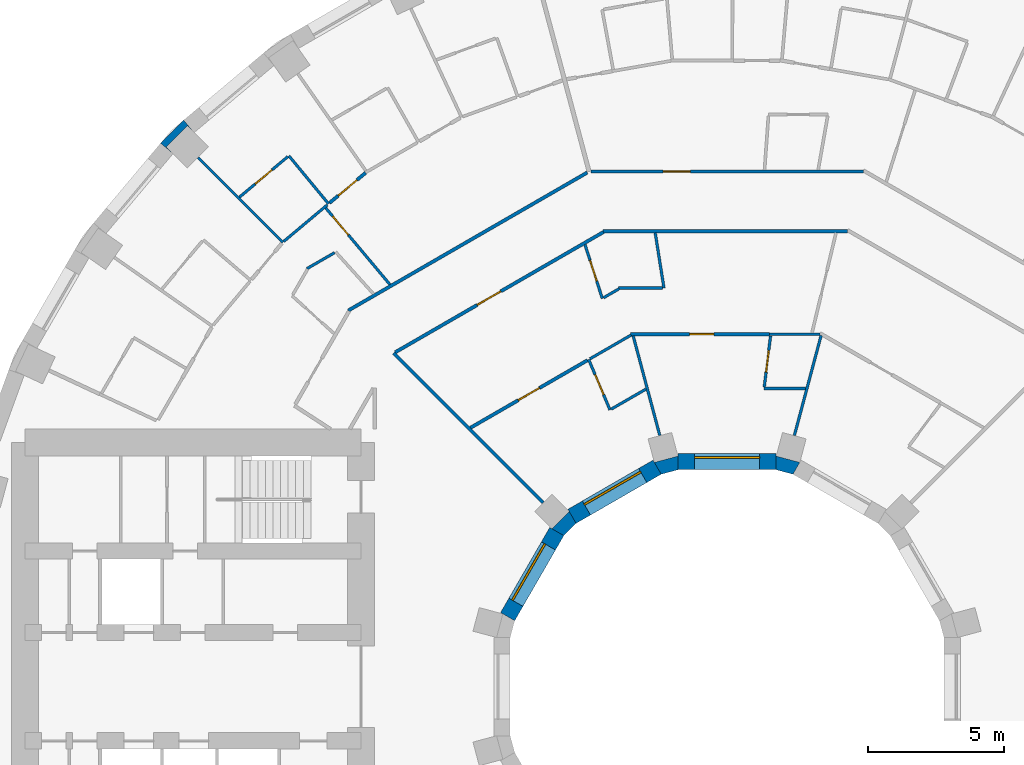
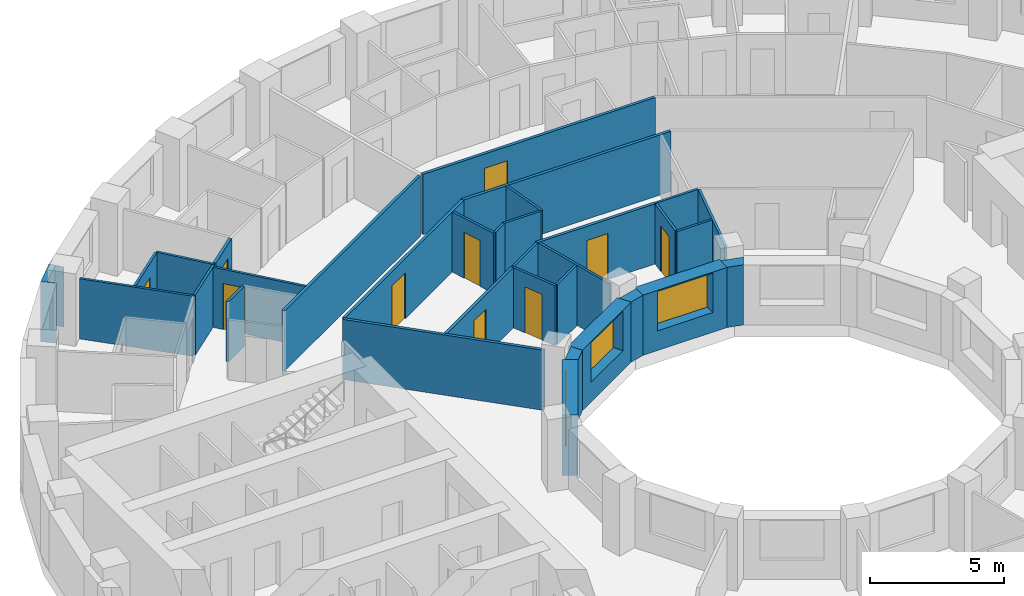
# One storey, part 9 of 14: 33 walls, 10 doors, 3 windows, 13 openings.
"""IFC4 building model written with IfcOpenShell, lengths in metres."""

from ifc_helpers import new_model, si_unit, direction, frame, frame_2d, origin, place, context, subcontext, project, spatial, polyline, rectangle, outline, extrude, material, layer, layer_set, type_object, element, fill, save


model = new_model("IFC4")

# Units and contexts
model_context = context("Model", 3, precision=1e-05, world=origin(), true_north=direction((0.0, 1.0)))
body_context = subcontext(model_context, "Body", "Model", "MODEL_VIEW")
ifc_project = project(units=[si_unit("LENGTHUNIT", "METRE"), si_unit("AREAUNIT", "SQUARE_METRE"), si_unit("VOLUMEUNIT", "CUBIC_METRE"), si_unit("PLANEANGLEUNIT", "RADIAN"), si_unit("MASSUNIT", "GRAM", prefix="KILO")], contexts=[model_context])

# Site, building, storey
site_placement = place(None, origin())
site = spatial("IfcSite", under=ifc_project, at=site_placement, CompositionType="ELEMENT")
building_placement = place(site_placement, origin())
building = spatial("IfcBuilding", under=site, at=building_placement, Name="Saqina Gate Tower", CompositionType="ELEMENT")
storey_placement = place(building_placement, frame((0.0, 0.0, 46.10009765625)))
storey = spatial("IfcBuildingStorey", under=building, at=storey_placement, Name="L12", CompositionType="ELEMENT", Elevation=46.10009765625)

# Wall
ifc_material_1 = material(Name="Brick masonry (red)", Category="masonry")
wall_type_1 = type_object("IfcWallType", Name="BRICK PIER COPING RED", PredefinedType="SOLIDWALL", material=ifc_material_1)
wall_1_placement = place(storey_placement, origin())
element("IfcWall", 1, at=wall_1_placement, inside=storey, type_object=wall_type_1, Name="Pier cap L12 column 14", PredefinedType="SOLIDWALL", context=body_context, shape_type="SweptSolid", body=[
    extrude(outline(polyline([(-20.894775390625, 20.04296875), (-20.43505859375, 19.6572265625), (-20.682861328125, 19.905029296875), (-19.905029296875, 20.682861328125), (-19.6572265625, 20.43505859375), (-20.04296875, 20.894775390625), (-20.894775390625, 20.04296875)])), origin(), (0.0, 0.0, 1.0), 2.75),
])

# Wall, opening, window
ifc_material_2 = material(Name="Glazed ceramic tile", Category="ceramic")
ifc_layer_1 = layer(ifc_material_2, 0.60009765625)
ifc_layer_set_1 = layer_set([ifc_layer_1], Name="IW-TILE")
wall_type_2 = type_object("IfcWallType", Name="IW-TILE", PredefinedType="SOLIDWALL", material=ifc_layer_set_1)
wall_2_placement = place(storey_placement, frame((1.8125, 8.300048828125, 0.0), z_axis=(0.0, 0.0, 1.0), x_axis=(-1.0, 0.0, 0.0)))
wall_2 = element("IfcWall", 2, at=wall_2_placement, inside=storey, type_object=wall_type_2, Name="Well wall L12 facet 3", PredefinedType="SOLIDWALL", context=body_context, shape_type="SweptSolid", body=[
    extrude(rectangle(XDim=3.625, YDim=0.60009765625, at=frame_2d((1.8125, 0.0))), origin(), (0.0, 0.0, 1.0), 2.75),
])
opening_1_placement = place(wall_2_placement, frame((0.612548828125, 0.0, 0.89990234375)))
opening_1 = element("IfcOpeningElement", 3, at=opening_1_placement, cuts=wall_2, Name="Opening G03-W28", PredefinedType="OPENING", context=body_context, shape_type="SweptSolid", body=[
    extrude(rectangle(XDim=2.39990234375, YDim=1.800048828125, at=frame_2d((1.199951171875, 0.89990234375))), frame((0.0, 0.31201171875, 0.0), z_axis=(0.0, -1.0, 0.0), x_axis=(1.0, 0.0, 0.0)), (0.0, 0.0, 1.0), 0.6240234375),
])
ifc_material_3 = material(Name="Aluminium glazing", Category="aluminium")
window_type = type_object("IfcWindowType", Name="WN-W", PartitioningType="SINGLE_PANEL", PredefinedType="WINDOW", material=ifc_material_3)
window_1_placement = place(opening_1_placement, origin())
window_1 = element("IfcWindow", 4, at=window_1_placement, inside=storey, type_object=window_type, Name="Well window L12 facet 3", OverallHeight=1.800048828125, OverallWidth=2.39990234375, PartitioningType="SINGLE_PANEL", PredefinedType="WINDOW", context=body_context, shape_type="SweptSolid", body=[
    extrude(rectangle(XDim=2.39990234375, YDim=1.800048828125, at=frame_2d((1.199951171875, 0.89990234375))), frame((0.0, -0.119873046875, 0.0), z_axis=(0.0, -1.0, 0.0), x_axis=(1.0, 0.0, 0.0)), (0.0, 0.0, 1.0), 0.06005859375),
])
fill(opening_1, window_1)

wall_3_placement = place(storey_placement, frame((-2.580322265625, 8.09423828125, 0.0), z_axis=(0.0, 0.0, 1.0), x_axis=(-0.866029693906, -0.499992569217, 0.0)))
wall_3 = element("IfcWall", 5, at=wall_3_placement, inside=storey, type_object=wall_type_2, Name="Well wall L12 facet 4", PredefinedType="SOLIDWALL", context=body_context, shape_type="SweptSolid", body=[
    extrude(rectangle(XDim=3.625, YDim=0.60009765625, at=frame_2d((1.8125, 0.0))), origin(), (0.0, 0.0, 1.0), 2.75),
])
opening_2_placement = place(wall_3_placement, frame((0.612548828125, 0.0, 0.89990234375)))
opening_2 = element("IfcOpeningElement", 6, at=opening_2_placement, cuts=wall_3, Name="Opening G03-W29", PredefinedType="OPENING", context=body_context, shape_type="SweptSolid", body=[
    extrude(rectangle(XDim=2.39990234375, YDim=1.800048828125, at=frame_2d((1.199951171875, 0.89990234375))), frame((0.0, 0.31201171875, 0.0), z_axis=(0.0, -1.0, 0.0), x_axis=(1.0, 0.0, 0.0)), (0.0, 0.0, 1.0), 0.6240234375),
])
window_2_placement = place(opening_2_placement, origin())
window_2 = element("IfcWindow", 7, at=window_2_placement, inside=storey, type_object=window_type, Name="Well window L12 facet 4", OverallHeight=1.800048828125, OverallWidth=2.39990234375, PartitioningType="SINGLE_PANEL", PredefinedType="WINDOW", context=body_context, shape_type="SweptSolid", body=[
    extrude(rectangle(XDim=2.39990234375, YDim=1.800048828125, at=frame_2d((1.199951171875, 0.89990234375))), frame((0.0, -0.119873046875, 0.0), z_axis=(0.0, -1.0, 0.0), x_axis=(1.0, 0.0, 0.0)), (0.0, 0.0, 1.0), 0.06005859375),
])
fill(opening_2, window_2)

wall_4_placement = place(storey_placement, frame((-6.28173828125, 5.7197265625, 0.0), z_axis=(0.0, 0.0, 1.0), x_axis=(-0.499992569217, -0.866029693906, 0.0)))
wall_4 = element("IfcWall", 8, at=wall_4_placement, inside=storey, type_object=wall_type_2, Name="Well wall L12 facet 5", PredefinedType="SOLIDWALL", context=body_context, shape_type="SweptSolid", body=[
    extrude(rectangle(XDim=3.625, YDim=0.60009765625, at=frame_2d((1.8125, 0.0))), origin(), (0.0, 0.0, 1.0), 2.75),
])
opening_3_placement = place(wall_4_placement, frame((0.612548828125, 0.0, 0.89990234375)))
opening_3 = element("IfcOpeningElement", 9, at=opening_3_placement, cuts=wall_4, Name="Opening G03-W30", PredefinedType="OPENING", context=body_context, shape_type="SweptSolid", body=[
    extrude(rectangle(XDim=2.39990234375, YDim=1.800048828125, at=frame_2d((1.199951171875, 0.89990234375))), frame((0.0, 0.31201171875, 0.0), z_axis=(0.0, -1.0, 0.0), x_axis=(1.0, 0.0, 0.0)), (0.0, 0.0, 1.0), 0.6240234375),
])
window_3_placement = place(opening_3_placement, origin())
window_3 = element("IfcWindow", 10, at=window_3_placement, inside=storey, type_object=window_type, Name="Well window L12 facet 5", OverallHeight=1.800048828125, OverallWidth=2.39990234375, PartitioningType="SINGLE_PANEL", PredefinedType="WINDOW", context=body_context, shape_type="SweptSolid", body=[
    extrude(rectangle(XDim=2.39990234375, YDim=1.800048828125, at=frame_2d((1.199951171875, 0.89990234375))), frame((0.0, -0.119873046875, 0.0), z_axis=(0.0, -1.0, 0.0), x_axis=(1.0, 0.0, 0.0)), (0.0, 0.0, 1.0), 0.06005859375),
])
fill(opening_3, window_3)

# Walls
ifc_material_4 = material(Name="Gypsum board on steel studs, 100 mm", Category="steel")
ifc_layer_2 = layer(ifc_material_4, 0.10009765625)
ifc_layer_set_2 = layer_set([ifc_layer_2], Name="PARTITION 100")
wall_type_3 = type_object("IfcWallType", Name="PARTITION 100", PredefinedType="PARTITIONING", material=ifc_layer_set_2)
wall_5_placement = place(storey_placement, frame((-2.651123046875, 16.73828125, 0.0), z_axis=(0.0, 0.0, 1.0), x_axis=(0.156624679591, -0.987658194794, 0.0)))
element("IfcWall", 11, at=wall_5_placement, inside=storey, type_object=wall_type_3, Name="PARTITION PW3-04", PredefinedType="PARTITIONING", context=body_context, shape_type="SweptSolid", body=[
    extrude(rectangle(XDim=2.063720703125, YDim=0.10009765625, at=frame_2d((1.03173828125, 0.0))), origin(), (0.0, 0.0, 1.0), 2.75),
])
wall_6_placement = place(storey_placement, frame((-3.46435546875, 12.940185546875, 0.0), z_axis=(0.0, 0.0, 1.0), x_axis=(0.258149993738, -0.966104849762, 0.0)))
element("IfcWall", 12, at=wall_6_placement, inside=storey, type_object=wall_type_3, Name="PARTITION PW3-07", PredefinedType="PARTITIONING", context=body_context, shape_type="SweptSolid", body=[
    extrude(rectangle(XDim=3.8037109375, YDim=0.10009765625, at=frame_2d((1.90185546875, 0.0))), origin(), (0.0, 0.0, 1.0), 2.75),
])

# Wall, opening, door
wall_7_placement = place(storey_placement, frame((-5.240966796875, 16.302490234375, 0.0), z_axis=(0.0, 0.0, 1.0), x_axis=(0.306308477414, -0.951932306766, 0.0)))
wall_7 = element("IfcWall", 13, at=wall_7_placement, inside=storey, type_object=wall_type_3, Name="PARTITION PW3-10", PredefinedType="PARTITIONING", context=body_context, shape_type="SweptSolid", body=[
    extrude(rectangle(XDim=2.0859375, YDim=0.10009765625, at=frame_2d((1.04296875, 0.0))), origin(), (0.0, 0.0, 1.0), 2.75),
])
opening_4_placement = place(wall_7_placement, frame((0.611572265625, 0.0, 0.0)))
opening_4 = element("IfcOpeningElement", 14, at=opening_4_placement, cuts=wall_7, Name="Opening G03-D23", PredefinedType="OPENING", context=body_context, shape_type="SweptSolid", body=[
    extrude(rectangle(XDim=0.800048828125, YDim=2.10009765625, at=frame_2d((0.39990234375, 1.050048828125))), frame((0.0, 0.06201171875, 0.0), z_axis=(0.0, -1.0, 0.0), x_axis=(1.0, 0.0, 0.0)), (0.0, 0.0, 1.0), 0.1240234375),
])
ifc_material_5 = material(Name="Timber door leaf, 800 mm", Category="wood")
door_type_1 = type_object("IfcDoorType", Name="DOOR 800 TIMBER", OperationType="SINGLE_SWING_LEFT", PredefinedType="DOOR", material=ifc_material_5)
door_1_placement = place(opening_4_placement, frame((0.800048828125, 0.0, 0.0), z_axis=(0.0, 0.0, 1.0), x_axis=(-1.0, 0.0, 0.0)))
door_1 = element("IfcDoor", 15, at=door_1_placement, inside=storey, type_object=door_type_1, Name="DOOR G03-D23", OperationType="SINGLE_SWING_RIGHT", OverallHeight=2.10009765625, OverallWidth=0.800048828125, PredefinedType="DOOR", context=body_context, shape_type="SweptSolid", body=[
    extrude(rectangle(XDim=0.800048828125, YDim=2.10009765625, at=frame_2d((0.39990234375, 1.050048828125))), frame((0.0, 0.02490234375, 0.0), z_axis=(0.0, -1.0, 0.0), x_axis=(1.0, 0.0, 0.0)), (0.0, 0.0, 1.0), 0.050048828125),
])
fill(opening_4, door_1)

wall_8_placement = place(storey_placement, frame((-5.10400390625, 12.06396484375, 0.0), z_axis=(0.0, 0.0, 1.0), x_axis=(0.389513511619, -0.921020751268, 0.0)))
wall_8 = element("IfcWall", 16, at=wall_8_placement, inside=storey, type_object=wall_type_3, Name="PARTITION PW3-13", PredefinedType="PARTITIONING", context=body_context, shape_type="SweptSolid", body=[
    extrude(rectangle(XDim=2.01513671875, YDim=0.10009765625, at=frame_2d((1.007568359375, 0.0))), origin(), (0.0, 0.0, 1.0), 2.75),
])
opening_5_placement = place(wall_8_placement, frame((0.607666015625, 0.0, 0.0)))
opening_5 = element("IfcOpeningElement", 17, at=opening_5_placement, cuts=wall_8, Name="Opening G03-D25", PredefinedType="OPENING", context=body_context, shape_type="SweptSolid", body=[
    extrude(rectangle(XDim=0.800048828125, YDim=2.10009765625, at=frame_2d((0.39990234375, 1.050048828125))), frame((0.0, 0.06201171875, 0.0), z_axis=(0.0, -1.0, 0.0), x_axis=(1.0, 0.0, 0.0)), (0.0, 0.0, 1.0), 0.1240234375),
])
door_2_placement = place(opening_5_placement, frame((0.800048828125, 0.0, 0.0), z_axis=(0.0, 0.0, 1.0), x_axis=(-1.0, 0.0, 0.0)))
door_2 = element("IfcDoor", 18, at=door_2_placement, inside=storey, type_object=door_type_1, Name="DOOR G03-D25", OperationType="SINGLE_SWING_RIGHT", OverallHeight=2.10009765625, OverallWidth=0.800048828125, PredefinedType="DOOR", context=body_context, shape_type="SweptSolid", body=[
    extrude(rectangle(XDim=0.800048828125, YDim=2.10009765625, at=frame_2d((0.39990234375, 1.050048828125))), frame((0.0, 0.02490234375, 0.0), z_axis=(0.0, -1.0, 0.0), x_axis=(1.0, 0.0, 0.0)), (0.0, 0.0, 1.0), 0.050048828125),
])
fill(opening_5, door_2)

# Wall
wall_9_placement = place(storey_placement, frame((-16.1640625, 19.580078125, 0.0), z_axis=(0.0, 0.0, 1.0), x_axis=(0.636700344293, -0.771111322428, 0.0)))
element("IfcWall", 19, at=wall_9_placement, inside=storey, type_object=wall_type_3, Name="PARTITION PW3-26", PredefinedType="PARTITIONING", context=body_context, shape_type="SweptSolid", body=[
    extrude(rectangle(XDim=2.299560546875, YDim=0.10009765625, at=frame_2d((1.14990234375, 0.0))), origin(), (0.0, 0.0, 1.0), 2.75),
])

# Wall, opening, door
wall_10_placement = place(storey_placement, frame((-14.802978515625, 17.65478515625, 0.0), z_axis=(0.0, 0.0, 1.0), x_axis=(0.642514396039, -0.766273613589, 0.0)))
wall_10 = element("IfcWall", 20, at=wall_10_placement, inside=storey, type_object=wall_type_3, Name="PARTITION PW3-30", PredefinedType="PARTITIONING", context=body_context, shape_type="SweptSolid", body=[
    extrude(rectangle(XDim=3.68505859375, YDim=0.10009765625, at=frame_2d((1.842529296875, 0.0))), origin(), (0.0, 0.0, 1.0), 2.75),
])
opening_6_placement = place(wall_10_placement, frame((0.398681640625, 0.0, 0.0)))
opening_6 = element("IfcOpeningElement", 21, at=opening_6_placement, cuts=wall_10, Name="Opening G03-D31", PredefinedType="OPENING", context=body_context, shape_type="SweptSolid", body=[
    extrude(rectangle(XDim=0.89990234375, YDim=2.10009765625, at=frame_2d((0.449951171875, 1.050048828125))), frame((0.0, 0.06201171875, 0.0), z_axis=(0.0, -1.0, 0.0), x_axis=(1.0, 0.0, 0.0)), (0.0, 0.0, 1.0), 0.1240234375),
])
ifc_material_6 = material(Name="Timber door leaf, 900 mm", Category="wood")
door_type_2 = type_object("IfcDoorType", Name="DOOR 900 TIMBER", OperationType="SINGLE_SWING_LEFT", PredefinedType="DOOR", material=ifc_material_6)
door_3_placement = place(opening_6_placement, frame((0.89990234375, 0.0, 0.0), z_axis=(0.0, 0.0, 1.0), x_axis=(-1.0, 0.0, 0.0)))
door_3 = element("IfcDoor", 22, at=door_3_placement, inside=storey, type_object=door_type_2, Name="DOOR G03-D31", OperationType="SINGLE_SWING_RIGHT", OverallHeight=2.10009765625, OverallWidth=0.89990234375, PredefinedType="DOOR", context=body_context, shape_type="SweptSolid", body=[
    extrude(rectangle(XDim=0.89990234375, YDim=2.10009765625, at=frame_2d((0.449951171875, 1.050048828125))), frame((0.0, 0.02490234375, 0.0), z_axis=(0.0, -1.0, 0.0), x_axis=(1.0, 0.0, 0.0)), (0.0, 0.0, 1.0), 0.050048828125),
])
fill(opening_6, door_3)

# Walls
wall_11_placement = place(storey_placement, frame((-19.509033203125, 19.509033203125, 0.0), z_axis=(0.0, 0.0, 1.0), x_axis=(0.707106781187, -0.707106781187, 0.0)))
element("IfcWall", 23, at=wall_11_placement, inside=storey, type_object=wall_type_3, Name="PARTITION PW3-33", PredefinedType="PARTITIONING", context=body_context, shape_type="SweptSolid", body=[
    extrude(rectangle(XDim=4.41259765625, YDim=0.10009765625, at=frame_2d((2.206298828125, 0.0))), origin(), (0.0, 0.0, 1.0), 2.75),
])
wall_12_placement = place(storey_placement, frame((1.364013671875, 11.0, 0.0), z_axis=(0.0, 0.0, 1.0), x_axis=(1.0, 0.0, 0.0)))
element("IfcWall", 24, at=wall_12_placement, inside=storey, type_object=wall_type_3, Name="PARTITION PW3-64", PredefinedType="PARTITIONING", context=body_context, shape_type="SweptSolid", body=[
    extrude(rectangle(XDim=1.532958984375, YDim=0.10009765625, at=frame_2d((0.7666015625, 0.0))), origin(), (0.0, 0.0, 1.0), 2.75),
])
wall_13_placement = place(storey_placement, frame((1.56201171875, 13.0, 0.0), z_axis=(0.0, 0.0, 1.0), x_axis=(1.0, 0.0, 0.0)))
element("IfcWall", 25, at=wall_13_placement, inside=storey, type_object=wall_type_3, Name="PARTITION PW3-65", PredefinedType="PARTITIONING", context=body_context, shape_type="SweptSolid", body=[
    extrude(rectangle(XDim=1.8583984375, YDim=0.10009765625, at=frame_2d((0.92919921875, 0.0))), origin(), (0.0, 0.0, 1.0), 2.75),
])
wall_14_placement = place(storey_placement, frame((-3.996826171875, 14.699951171875, 0.0), z_axis=(0.0, 0.0, 1.0), x_axis=(1.0, 0.0, 0.0)))
element("IfcWall", 26, at=wall_14_placement, inside=storey, type_object=wall_type_3, Name="PARTITION PW3-66", PredefinedType="PARTITIONING", context=body_context, shape_type="SweptSolid", body=[
    extrude(rectangle(XDim=1.618896484375, YDim=0.10009765625, at=frame_2d((0.8095703125, 0.0))), origin(), (0.0, 0.0, 1.0), 2.75),
])
wall_15_placement = place(storey_placement, frame((-4.275634765625, 10.23291015625, 0.0), z_axis=(0.0, 0.0, 1.0), x_axis=(0.865996508191, 0.500050045296, 0.0)))
element("IfcWall", 27, at=wall_15_placement, inside=storey, type_object=wall_type_3, Name="PARTITION PW3-83", PredefinedType="PARTITIONING", context=body_context, shape_type="SweptSolid", body=[
    extrude(rectangle(XDim=1.483642578125, YDim=0.10009765625, at=frame_2d((0.74169921875, 0.0))), origin(), (0.0, 0.0, 1.0), 2.75),
])
wall_16_placement = place(storey_placement, frame((-5.060791015625, 12.089111328125, 0.0), z_axis=(0.0, 0.0, 1.0), x_axis=(0.86604000649, 0.499974706519, 0.0)))
element("IfcWall", 28, at=wall_16_placement, inside=storey, type_object=wall_type_3, Name="PARTITION PW3-84", PredefinedType="PARTITIONING", context=body_context, shape_type="SweptSolid", body=[
    extrude(rectangle(XDim=1.75927734375, YDim=0.10009765625, at=frame_2d((0.879638671875, 0.0))), origin(), (0.0, 0.0, 1.0), 2.75),
])
wall_17_placement = place(storey_placement, frame((-4.55859375, 14.342041015625, 0.0), z_axis=(0.0, 0.0, 1.0), x_axis=(0.865886254366, 0.500240936449, 0.0)))
element("IfcWall", 29, at=wall_17_placement, inside=storey, type_object=wall_type_3, Name="PARTITION PW3-85", PredefinedType="PARTITIONING", context=body_context, shape_type="SweptSolid", body=[
    extrude(rectangle(XDim=0.665771484375, YDim=0.10009765625, at=frame_2d((0.3330078125, 0.0))), origin(), (0.0, 0.0, 1.0), 2.75),
])
wall_18_placement = place(storey_placement, frame((-15.49609375, 15.417236328125, 0.0), z_axis=(0.0, 0.0, 1.0), x_axis=(0.866140661503, 0.499800314617, 0.0)))
element("IfcWall", 30, at=wall_18_placement, inside=storey, type_object=wall_type_3, Name="PARTITION PW3-86", PredefinedType="PARTITIONING", context=body_context, shape_type="SweptSolid", body=[
    extrude(rectangle(XDim=1.17626953125, YDim=0.10009765625, at=frame_2d((0.588134765625, 0.0))), origin(), (0.0, 0.0, 1.0), 2.75),
])
wall_19_placement = place(storey_placement, frame((-16.3505859375, 16.421142578125, 0.0), z_axis=(0.0, 0.0, 1.0), x_axis=(0.765854222204, 0.643014238048, 0.0)))
element("IfcWall", 31, at=wall_19_placement, inside=storey, type_object=wall_type_3, Name="PARTITION PW3-95", PredefinedType="PARTITIONING", context=body_context, shape_type="SweptSolid", body=[
    extrude(rectangle(XDim=2.0927734375, YDim=0.10009765625, at=frame_2d((1.04638671875, 0.0))), origin(), (0.0, 0.0, 1.0), 2.75),
])

# Wall, opening, door
wall_20_placement = place(storey_placement, frame((-17.983642578125, 18.05419921875, 0.0), z_axis=(0.0, 0.0, 1.0), x_axis=(0.766254925891, 0.642536682648, 0.0)))
wall_20 = element("IfcWall", 32, at=wall_20_placement, inside=storey, type_object=wall_type_3, Name="PARTITION PW3-96", PredefinedType="PARTITIONING", context=body_context, shape_type="SweptSolid", body=[
    extrude(rectangle(XDim=2.32470703125, YDim=0.10009765625, at=frame_2d((1.162353515625, 0.0))), origin(), (0.0, 0.0, 1.0), 2.75),
])
opening_7_placement = place(wall_20_placement, frame((0.762451171875, 0.0, 0.0)))
opening_7 = element("IfcOpeningElement", 33, at=opening_7_placement, cuts=wall_20, Name="Opening G03-D32", PredefinedType="OPENING", context=body_context, shape_type="SweptSolid", body=[
    extrude(rectangle(XDim=0.800048828125, YDim=2.10009765625, at=frame_2d((0.39990234375, 1.050048828125))), frame((0.0, 0.06201171875, 0.0), z_axis=(0.0, -1.0, 0.0), x_axis=(1.0, 0.0, 0.0)), (0.0, 0.0, 1.0), 0.1240234375),
])
door_4_placement = place(opening_7_placement, origin())
door_4 = element("IfcDoor", 34, at=door_4_placement, inside=storey, type_object=door_type_1, Name="DOOR G03-D32", OperationType="SINGLE_SWING_RIGHT", OverallHeight=2.10009765625, OverallWidth=0.800048828125, PredefinedType="DOOR", context=body_context, shape_type="SweptSolid", body=[
    extrude(rectangle(XDim=0.800048828125, YDim=2.10009765625, at=frame_2d((0.39990234375, 1.050048828125))), frame((0.0, 0.02490234375, 0.0), z_axis=(0.0, -1.0, 0.0), x_axis=(1.0, 0.0, 0.0)), (0.0, 0.0, 1.0), 0.050048828125),
])
fill(opening_7, door_4)

# Wall
wall_21_placement = place(storey_placement, frame((2.482421875, 9.265380859375, 0.0), z_axis=(0.0, 0.0, 1.0), x_axis=(0.258188185818, 0.966094643761, 0.0)))
element("IfcWall", 35, at=wall_21_placement, inside=storey, type_object=wall_type_3, Name="PARTITION PW3-119", PredefinedType="PARTITIONING", context=body_context, shape_type="SweptSolid", body=[
    extrude(rectangle(XDim=3.81640625, YDim=0.10009765625, at=frame_2d((1.908203125, 0.0))), origin(), (0.0, 0.0, 1.0), 2.75),
])

# Wall, opening, door
wall_22_placement = place(storey_placement, frame((1.3701171875, 11.049560546875, 0.0), z_axis=(0.0, 0.0, 1.0), x_axis=(0.123039852559, 0.992401730491, 0.0)))
wall_22 = element("IfcWall", 36, at=wall_22_placement, inside=storey, type_object=wall_type_3, Name="PARTITION PW3-125", PredefinedType="PARTITIONING", context=body_context, shape_type="SweptSolid", body=[
    extrude(rectangle(XDim=1.90283203125, YDim=0.10009765625, at=frame_2d((0.951416015625, 0.0))), origin(), (0.0, 0.0, 1.0), 2.75),
])
opening_8_placement = place(wall_22_placement, frame((0.5576171875, 0.0, 0.0)))
opening_8 = element("IfcOpeningElement", 37, at=opening_8_placement, cuts=wall_22, Name="Opening G03-D14", PredefinedType="OPENING", context=body_context, shape_type="SweptSolid", body=[
    extrude(rectangle(XDim=0.800048828125, YDim=2.10009765625, at=frame_2d((0.39990234375, 1.050048828125))), frame((0.0, 0.06201171875, 0.0), z_axis=(0.0, -1.0, 0.0), x_axis=(1.0, 0.0, 0.0)), (0.0, 0.0, 1.0), 0.1240234375),
])
door_5_placement = place(opening_8_placement, origin())
door_5 = element("IfcDoor", 38, at=door_5_placement, inside=storey, type_object=door_type_1, Name="DOOR G03-D14", OperationType="SINGLE_SWING_RIGHT", OverallHeight=2.10009765625, OverallWidth=0.800048828125, PredefinedType="DOOR", context=body_context, shape_type="SweptSolid", body=[
    extrude(rectangle(XDim=0.800048828125, YDim=2.10009765625, at=frame_2d((0.39990234375, 1.050048828125))), frame((0.0, 0.02490234375, 0.0), z_axis=(0.0, -1.0, 0.0), x_axis=(1.0, 0.0, 0.0)), (0.0, 0.0, 1.0), 0.050048828125),
])
fill(opening_8, door_5)

# Wall
ifc_material_7 = material(Name="Gypsum board on steel studs, 125 mm, fire rated", Category="steel")
ifc_layer_3 = layer(ifc_material_7, 0.125)
ifc_layer_set_3 = layer_set([ifc_layer_3], Name="PARTITION EI 30 125")
wall_type_4 = type_object("IfcWallType", Name="PARTITION EI 30 125", PredefinedType="PARTITIONING", material=ifc_layer_set_3)
wall_23_placement = place(storey_placement, frame((-12.298095703125, 12.298095703125, 0.0), z_axis=(0.0, 0.0, 1.0), x_axis=(0.707106781187, -0.707106781187, 0.0)))
element("IfcWall", 39, at=wall_23_placement, inside=storey, type_object=wall_type_4, Name="PARTITION PW1-06", PredefinedType="PARTITIONING", context=body_context, shape_type="SweptSolid", body=[
    extrude(rectangle(XDim=7.7998046875, YDim=0.125, at=frame_2d((3.89990234375, 0.0))), origin(), (0.0, 0.0, 1.0), 2.75),
])

# Wall, opening, door
wall_24_placement = place(storey_placement, frame((-3.55517578125, 13.0, 0.0), z_axis=(0.0, 0.0, 1.0), x_axis=(1.0, 0.0, 0.0)))
wall_24 = element("IfcWall", 40, at=wall_24_placement, inside=storey, type_object=wall_type_4, Name="PARTITION PW1-27", PredefinedType="PARTITIONING", context=body_context, shape_type="SweptSolid", body=[
    extrude(rectangle(XDim=5.1171875, YDim=0.125, at=frame_2d((2.55859375, 0.0))), origin(), (0.0, 0.0, 1.0), 2.75),
])
opening_9_placement = place(wall_24_placement, frame((2.169677734375, 0.0, 0.0)))
opening_9 = element("IfcOpeningElement", 41, at=opening_9_placement, cuts=wall_24, Name="Opening G03-D18", PredefinedType="OPENING", context=body_context, shape_type="SweptSolid", body=[
    extrude(rectangle(XDim=0.89990234375, YDim=2.10009765625, at=frame_2d((0.449951171875, 1.050048828125))), frame((0.0, 0.074462890625, 0.0), z_axis=(0.0, -1.0, 0.0), x_axis=(1.0, 0.0, 0.0)), (0.0, 0.0, 1.0), 0.14892578125),
])
ifc_material_8 = material(Name="Fire door leaf EI 30, 900 mm")
door_type_3 = type_object("IfcDoorType", Name="DOOR 900 EI 30", OperationType="SINGLE_SWING_LEFT", PredefinedType="DOOR", material=ifc_material_8)
door_6_placement = place(opening_9_placement, origin())
door_6 = element("IfcDoor", 42, at=door_6_placement, inside=storey, type_object=door_type_3, Name="DOOR G03-D18", OperationType="SINGLE_SWING_RIGHT", OverallHeight=2.10009765625, OverallWidth=0.89990234375, PredefinedType="DOOR", context=body_context, shape_type="SweptSolid", body=[
    extrude(rectangle(XDim=0.89990234375, YDim=2.10009765625, at=frame_2d((0.449951171875, 1.050048828125))), frame((0.0, 0.02490234375, 0.0), z_axis=(0.0, -1.0, 0.0), x_axis=(1.0, 0.0, 0.0)), (0.0, 0.0, 1.0), 0.050048828125),
])
fill(opening_9, door_6)

# Wall
wall_25_placement = place(storey_placement, frame((-4.57421875, 16.800048828125, 0.0), z_axis=(0.0, 0.0, 1.0), x_axis=(1.0, 0.0, 0.0)))
element("IfcWall", 43, at=wall_25_placement, inside=storey, type_object=wall_type_4, Name="PARTITION PW1-28", PredefinedType="PARTITIONING", context=body_context, shape_type="SweptSolid", body=[
    extrude(rectangle(XDim=9.013671875, YDim=0.125, at=frame_2d((4.5068359375, 0.0))), origin(), (0.0, 0.0, 1.0), 2.75),
])

# Wall, opening, door
wall_26_placement = place(storey_placement, frame((-5.01611328125, 19.0, 0.0), z_axis=(0.0, 0.0, 1.0), x_axis=(1.0, 0.0, 0.0)))
wall_26 = element("IfcWall", 44, at=wall_26_placement, inside=storey, type_object=wall_type_4, Name="PARTITION PW1-29", PredefinedType="PARTITIONING", context=body_context, shape_type="SweptSolid", body=[
    extrude(rectangle(XDim=10.044677734375, YDim=0.125, at=frame_2d((5.0224609375, 0.0))), origin(), (0.0, 0.0, 1.0), 2.75),
])
opening_10_placement = place(wall_26_placement, frame((2.658935546875, 0.0, 0.0)))
opening_10 = element("IfcOpeningElement", 45, at=opening_10_placement, cuts=wall_26, Name="Opening G03-D19", PredefinedType="OPENING", context=body_context, shape_type="SweptSolid", body=[
    extrude(rectangle(XDim=1.0, YDim=2.10009765625, at=frame_2d((0.5, 1.050048828125))), frame((0.0, 0.074462890625, 0.0), z_axis=(0.0, -1.0, 0.0), x_axis=(1.0, 0.0, 0.0)), (0.0, 0.0, 1.0), 0.14892578125),
])
ifc_material_9 = material(Name="Fire door leaf EI 30, 1000 mm")
door_type_4 = type_object("IfcDoorType", Name="DOOR 1000 EI 30", OperationType="SINGLE_SWING_LEFT", PredefinedType="DOOR", material=ifc_material_9)
door_7_placement = place(opening_10_placement, origin())
door_7 = element("IfcDoor", 46, at=door_7_placement, inside=storey, type_object=door_type_4, Name="DOOR G03-D19", OperationType="SINGLE_SWING_LEFT", OverallHeight=2.10009765625, OverallWidth=1.0, PredefinedType="DOOR", context=body_context, shape_type="SweptSolid", body=[
    extrude(rectangle(XDim=1.0, YDim=2.10009765625, at=frame_2d((0.5, 1.050048828125))), frame((0.0, 0.02490234375, 0.0), z_axis=(0.0, -1.0, 0.0), x_axis=(1.0, 0.0, 0.0)), (0.0, 0.0, 1.0), 0.050048828125),
])
fill(opening_10, door_7)

wall_27_placement = place(storey_placement, frame((-9.462890625, 9.54833984375, 0.0), z_axis=(0.0, 0.0, 1.0), x_axis=(0.866106452525, 0.499859593181, 0.0)))
wall_27 = element("IfcWall", 47, at=wall_27_placement, inside=storey, type_object=wall_type_4, Name="PARTITION PW1-38", PredefinedType="PARTITIONING", context=body_context, shape_type="SweptSolid", body=[
    extrude(rectangle(XDim=4.98291015625, YDim=0.125, at=frame_2d((2.491455078125, 0.0))), origin(), (0.0, 0.0, 1.0), 2.75),
])
opening_11_placement = place(wall_27_placement, frame((2.03515625, 0.0, 0.0)))
opening_11 = element("IfcOpeningElement", 48, at=opening_11_placement, cuts=wall_27, Name="Opening G03-D29", PredefinedType="OPENING", context=body_context, shape_type="SweptSolid", body=[
    extrude(rectangle(XDim=0.89990234375, YDim=2.10009765625, at=frame_2d((0.449951171875, 1.050048828125))), frame((0.0, 0.074462890625, 0.0), z_axis=(0.0, -1.0, 0.0), x_axis=(1.0, 0.0, 0.0)), (0.0, 0.0, 1.0), 0.14892578125),
])
door_8_placement = place(opening_11_placement, origin())
door_8 = element("IfcDoor", 49, at=door_8_placement, inside=storey, type_object=door_type_3, Name="DOOR G03-D29", OperationType="SINGLE_SWING_LEFT", OverallHeight=2.10009765625, OverallWidth=0.89990234375, PredefinedType="DOOR", context=body_context, shape_type="SweptSolid", body=[
    extrude(rectangle(XDim=0.89990234375, YDim=2.10009765625, at=frame_2d((0.449951171875, 1.050048828125))), frame((0.0, 0.02490234375, 0.0), z_axis=(0.0, -1.0, 0.0), x_axis=(1.0, 0.0, 0.0)), (0.0, 0.0, 1.0), 0.050048828125),
])
fill(opening_11, door_8)

wall_28_placement = place(storey_placement, frame((-12.243896484375, 12.329345703125, 0.0), z_axis=(0.0, 0.0, 1.0), x_axis=(0.865979941794, 0.500078734211, 0.0)))
wall_28 = element("IfcWall", 50, at=wall_28_placement, inside=storey, type_object=wall_type_4, Name="PARTITION PW1-39", PredefinedType="PARTITIONING", context=body_context, shape_type="SweptSolid", body=[
    extrude(rectangle(XDim=8.87744140625, YDim=0.125, at=frame_2d((4.438720703125, 0.0))), origin(), (0.0, 0.0, 1.0), 2.75),
])
opening_12_placement = place(wall_28_placement, frame((3.5009765625, 0.0, 0.0)))
opening_12 = element("IfcOpeningElement", 51, at=opening_12_placement, cuts=wall_28, Name="Opening G03-D27", PredefinedType="OPENING", context=body_context, shape_type="SweptSolid", body=[
    extrude(rectangle(XDim=1.0, YDim=2.10009765625, at=frame_2d((0.5, 1.050048828125))), frame((0.0, 0.074462890625, 0.0), z_axis=(0.0, -1.0, 0.0), x_axis=(1.0, 0.0, 0.0)), (0.0, 0.0, 1.0), 0.14892578125),
])
door_9_placement = place(opening_12_placement, frame((1.0, 0.0, 0.0), z_axis=(0.0, 0.0, 1.0), x_axis=(-1.0, 0.0, 0.0)))
door_9 = element("IfcDoor", 52, at=door_9_placement, inside=storey, type_object=door_type_4, Name="DOOR G03-D27", OperationType="SINGLE_SWING_RIGHT", OverallHeight=2.10009765625, OverallWidth=1.0, PredefinedType="DOOR", context=body_context, shape_type="SweptSolid", body=[
    extrude(rectangle(XDim=1.0, YDim=2.10009765625, at=frame_2d((0.5, 1.050048828125))), frame((0.0, 0.02490234375, 0.0), z_axis=(0.0, -1.0, 0.0), x_axis=(1.0, 0.0, 0.0)), (0.0, 0.0, 1.0), 0.050048828125),
])
fill(opening_12, door_9)

# Wall
wall_29_placement = place(storey_placement, frame((-13.971435546875, 13.872802734375, 0.0), z_axis=(0.0, 0.0, 1.0), x_axis=(0.86602502492, 0.500000656212, 0.0)))
element("IfcWall", 53, at=wall_29_placement, inside=storey, type_object=wall_type_4, Name="PARTITION PW1-40", PredefinedType="PARTITIONING", context=body_context, shape_type="SweptSolid", body=[
    extrude(rectangle(XDim=10.17919921875, YDim=0.125, at=frame_2d((5.089599609375, 0.0))), origin(), (0.0, 0.0, 1.0), 2.75),
])

# Wall, opening, door
wall_30_placement = place(storey_placement, frame((-14.66259765625, 17.840087890625, 0.0), z_axis=(0.0, 0.0, 1.0), x_axis=(0.767205284681, 0.641401630149, 0.0)))
wall_30 = element("IfcWall", 54, at=wall_30_placement, inside=storey, type_object=wall_type_4, Name="PARTITION PW1-46", PredefinedType="PARTITIONING", context=body_context, shape_type="SweptSolid", body=[
    extrude(rectangle(XDim=1.73486328125, YDim=0.125, at=frame_2d((0.867431640625, 0.0))), origin(), (0.0, 0.0, 1.0), 2.75),
])
opening_13_placement = place(wall_30_placement, frame((0.41748046875, 0.0, 0.0)))
opening_13 = element("IfcOpeningElement", 55, at=opening_13_placement, cuts=wall_30, Name="Opening G03-D30", PredefinedType="OPENING", context=body_context, shape_type="SweptSolid", body=[
    extrude(rectangle(XDim=0.89990234375, YDim=2.10009765625, at=frame_2d((0.449951171875, 1.050048828125))), frame((0.0, 0.074462890625, 0.0), z_axis=(0.0, -1.0, 0.0), x_axis=(1.0, 0.0, 0.0)), (0.0, 0.0, 1.0), 0.14892578125),
])
door_10_placement = place(opening_13_placement, frame((0.89990234375, 0.0, 0.0), z_axis=(0.0, 0.0, 1.0), x_axis=(-1.0, 0.0, 0.0)))
door_10 = element("IfcDoor", 56, at=door_10_placement, inside=storey, type_object=door_type_3, Name="DOOR G03-D30", OperationType="SINGLE_SWING_RIGHT", OverallHeight=2.10009765625, OverallWidth=0.89990234375, PredefinedType="DOOR", context=body_context, shape_type="SweptSolid", body=[
    extrude(rectangle(XDim=0.89990234375, YDim=2.10009765625, at=frame_2d((0.449951171875, 1.050048828125))), frame((0.0, 0.02490234375, 0.0), z_axis=(0.0, -1.0, 0.0), x_axis=(1.0, 0.0, 0.0)), (0.0, 0.0, 1.0), 0.050048828125),
])
fill(opening_13, door_10)

# Walls
ifc_material_10 = material(Name="Glazed ceramic tile", Category="ceramic")
wall_type_5 = type_object("IfcWallType", Name="TILE PIER COPING", PredefinedType="SOLIDWALL", material=ifc_material_10)
wall_31_placement = place(storey_placement, origin())
element("IfcWall", 57, at=wall_31_placement, inside=storey, type_object=wall_type_5, Name="Well pier cap L12 column 3", PredefinedType="SOLIDWALL", context=body_context, shape_type="SweptSolid", body=[
    extrude(outline(polyline([(1.8125, 8.502685546875), (1.8125, 8.0), (2.430419921875, 7.83447265625), (2.681884765625, 8.27001953125), (1.8125, 8.502685546875)])), origin(), (0.0, 0.0, 1.0), 2.75),
])
wall_32_placement = place(storey_placement, origin())
element("IfcWall", 58, at=wall_32_placement, inside=storey, type_object=wall_type_5, Name="Well pier cap L12 column 4", PredefinedType="SOLIDWALL", context=body_context, shape_type="SweptSolid", body=[
    extrude(outline(polyline([(-2.681884765625, 8.27001953125), (-2.430419921875, 7.83447265625), (-1.8125, 8.0), (-1.8125, 8.502685546875), (-2.681884765625, 8.27001953125)])), origin(), (0.0, 0.0, 1.0), 2.75),
])
wall_33_placement = place(storey_placement, origin())
element("IfcWall", 59, at=wall_33_placement, inside=storey, type_object=wall_type_5, Name="Well pier cap L12 column 5", PredefinedType="SOLIDWALL", context=body_context, shape_type="SweptSolid", body=[
    extrude(outline(polyline([(-6.45751953125, 5.821044921875), (-6.02197265625, 5.569580078125), (-5.569580078125, 6.02197265625), (-5.821044921875, 6.45751953125), (-6.45751953125, 5.821044921875)])), origin(), (0.0, 0.0, 1.0), 2.75),
])

save(model, "model.ifc")
